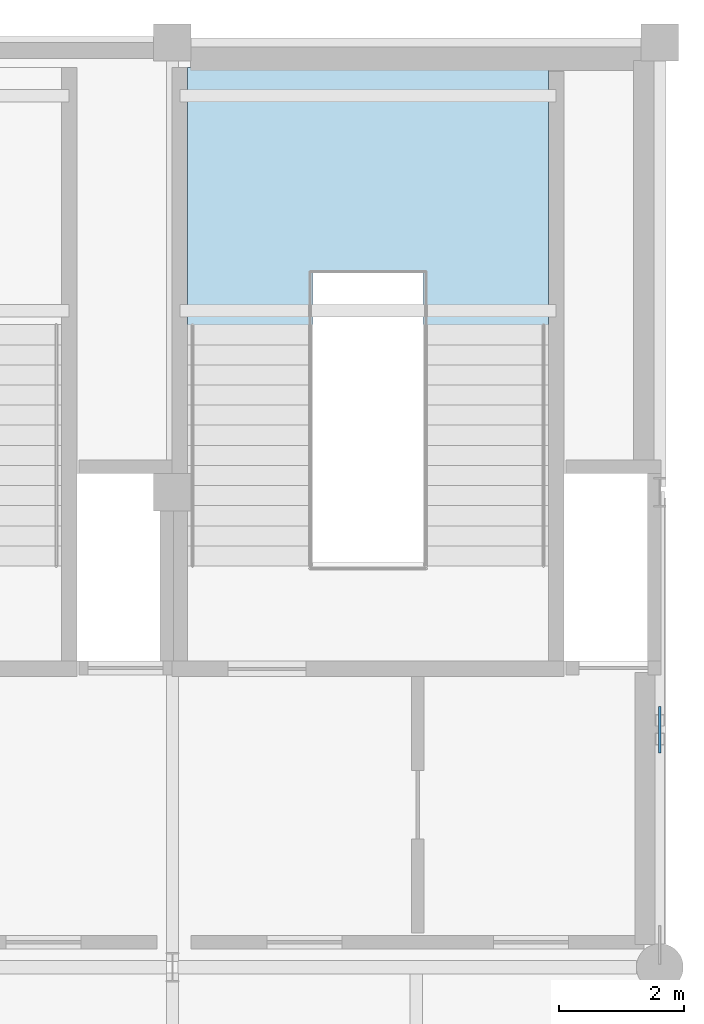
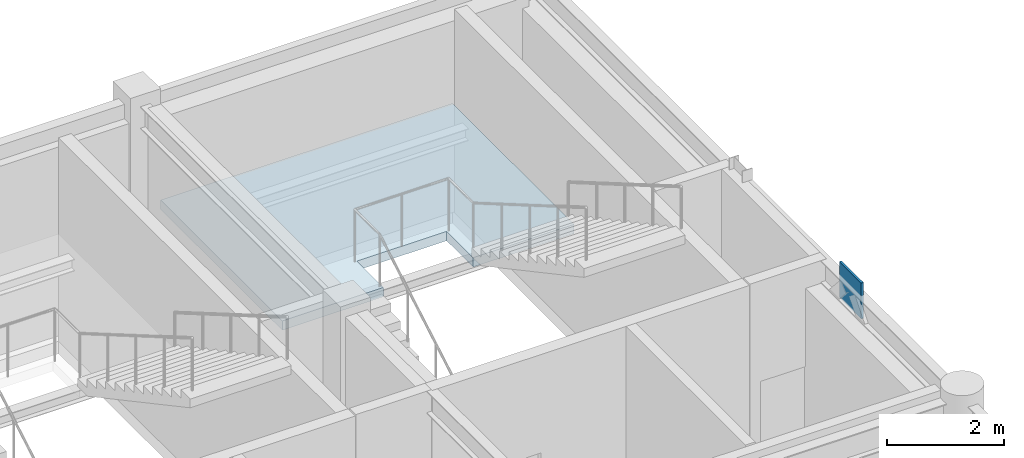
# One storey, part 14 of 28: 1 plate, 1 slab, 1 element without a shape of its own.
"""IFC4 building model written with IfcOpenShell, lengths in metres."""

from ifc_helpers import new_model, si_unit, direction, frame, origin, origin_2d, place, context, subcontext, project, spatial, polyline, rectangle, outline, extrude, material, layer, layer_set, type_object, element, aggregate, save


model = new_model("IFC4")

# Units and contexts
model_context = context("Model", 3, precision=1e-05, world=origin(), true_north=direction((0.0, 1.0)))
body_context = subcontext(model_context, "Body", "Model", "MODEL_VIEW")
ifc_project = project(units=[si_unit("LENGTHUNIT", "METRE"), si_unit("AREAUNIT", "SQUARE_METRE"), si_unit("VOLUMEUNIT", "CUBIC_METRE"), si_unit("PLANEANGLEUNIT", "RADIAN"), si_unit("MASSUNIT", "GRAM", prefix="KILO")], contexts=[model_context])

# Site, building, storey
site_placement = place(None, origin())
site = spatial("IfcSite", under=ifc_project, at=site_placement, CompositionType="ELEMENT")
building_placement = place(site_placement, origin())
building = spatial("IfcBuilding", under=site, at=building_placement, Name="Xicomal Pleat Aquarium", CompositionType="ELEMENT")
storey_placement = place(building_placement, frame((0.0, 0.0, 15.300048828125)))
storey = spatial("IfcBuildingStorey", under=building, at=storey_placement, Name="L04", CompositionType="ELEMENT", Elevation=15.300048828125)

# Plate
ifc_material_1 = material(Name="Structural steel A992 Gr 50", Category="steel")
ifc_layer_1 = layer(ifc_material_1, 0.044921875)
ifc_layer_set_1 = layer_set([ifc_layer_1], Name="Structural steel A992 Gr 50")
plate_type = type_object("IfcPlateType", Name="PLT-GUS-45", PredefinedType="USERDEFINED", material=ifc_layer_set_1)
plate_placement = place(storey_placement, frame((157.199951171875, 87.39990234375, 3.77490234375), z_axis=(0.0, 0.0, 1.0), x_axis=(0.0, 1.0, 0.0)))
element("IfcPlate", 1, at=plate_placement, inside=storey, type_object=plate_type, Name="L04 chevron gusset node plate 25", ObjectType="GUSSET PLATE", PredefinedType="USERDEFINED", context=body_context, shape_type="SweptSolid", body=[
    extrude(rectangle(XDim=0.75, YDim=0.044921875, at=origin_2d()), origin(), (0.0, 0.0, 1.0), 0.75),
])

# Stair, slab
ifc_material_2 = material(Name="Concrete C35/45", Category="concrete")
stair_type = type_object("IfcStairType", Name="STR-HT-4500-2200", PredefinedType="HALF_TURN_STAIR", material=ifc_material_2)
stair_placement = place(storey_placement, origin())
stair = element("IfcStair", 2, at=stair_placement, inside=storey, type_object=stair_type, Name="ST-06 fire exit stair L04 to L05", PredefinedType="HALF_TURN_STAIR")
ifc_material_3 = material(Name="Concrete C35/45", Category="concrete")
ifc_layer_2 = layer(ifc_material_3, 0.195068359375)
ifc_layer_set_2 = layer_set([ifc_layer_2], Name="Concrete C35/45")
slab_type = type_object("IfcSlabType", Name="SLB-LND-195", PredefinedType="LANDING", material=ifc_layer_set_2)
slab_placement = place(storey_placement, frame((0.0, 0.0, 2.054931640625)))
slab = element("IfcSlab", 3, at=slab_placement, type_object=slab_type, Name="ST-06 landing 1", PredefinedType="LANDING", context=body_context, shape_type="SweptSolid", body=[
    extrude(outline(polyline([(149.639892578125, 98.0), (155.419921875, 98.0), (155.419921875, 93.823974609375), (153.419921875, 93.823974609375), (153.419921875, 94.73388671875), (151.639892578125, 94.73388671875), (151.639892578125, 93.823974609375), (149.639892578125, 93.823974609375), (149.639892578125, 98.0)])), origin(), (0.0, 0.0, 1.0), 0.195068359375),
])
aggregate(stair, [slab])

save(model, "model.ifc")
